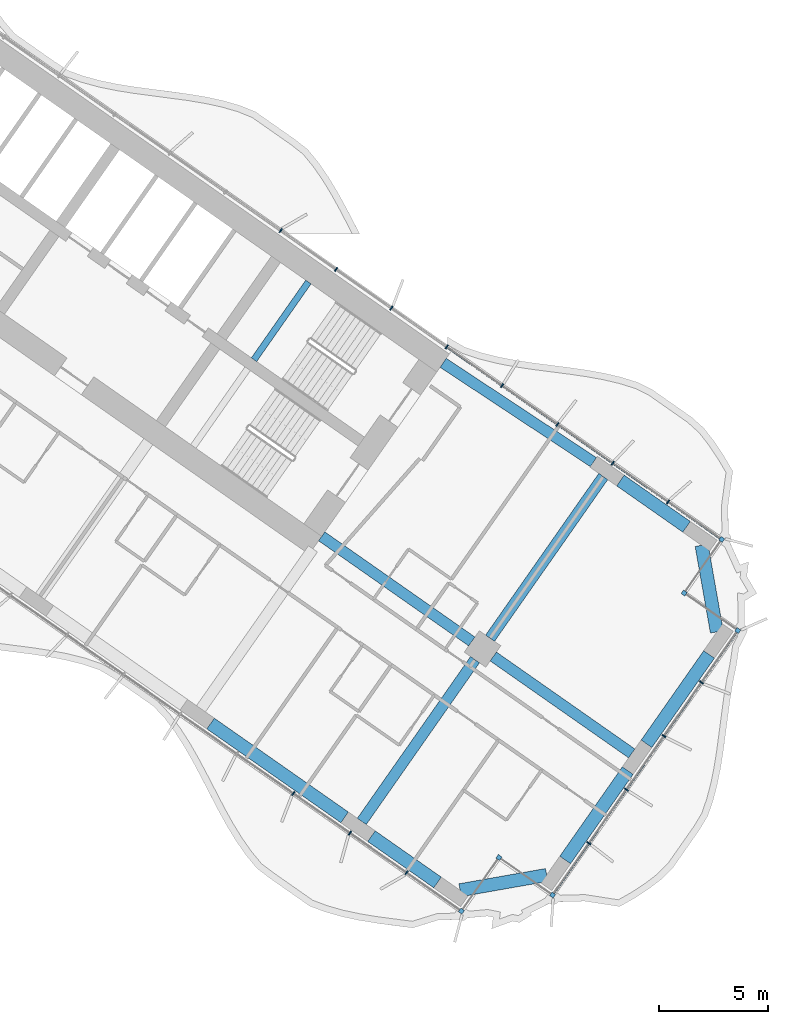
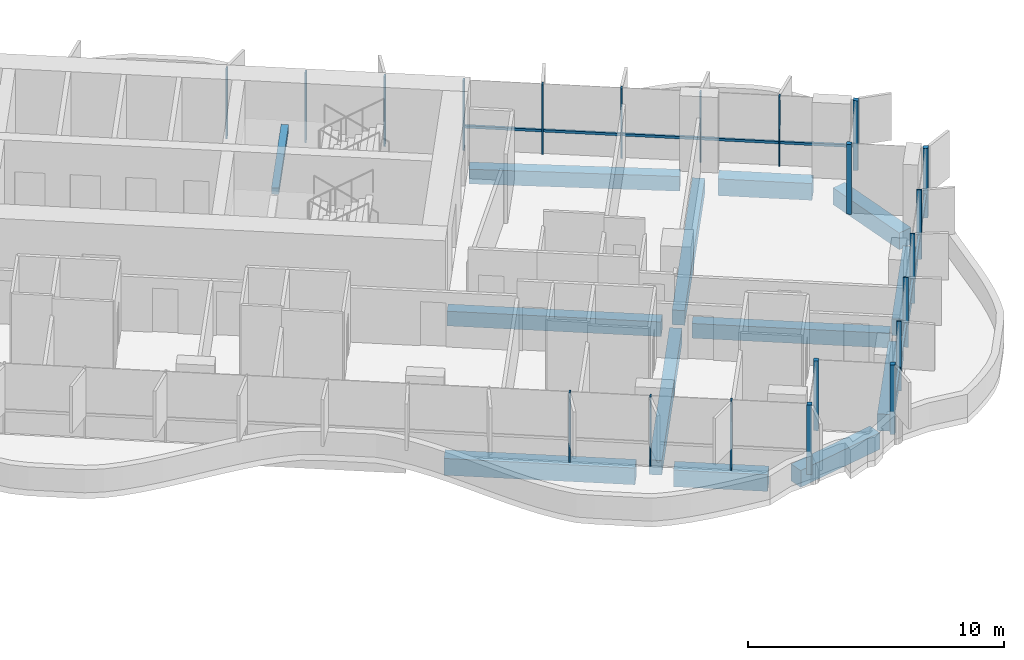
# One storey, part 9 of 24: 23 members, 13 beams, 2 elements without a shape of their own.
"""IFC4 building model written with IfcOpenShell, lengths in metres."""

from ifc_helpers import new_model, si_unit, direction, frame, origin, origin_2d, place, context, subcontext, project, spatial, rectangle, extrude, material, material_profile, profile_set, type_object, element, aggregate, save


model = new_model("IFC4")

# Units and contexts
model_context = context("Model", 3, precision=1e-05, world=origin(), true_north=direction((0.0, 1.0)))
body_context = subcontext(model_context, "Body", "Model", "MODEL_VIEW")
ifc_project = project(units=[si_unit("LENGTHUNIT", "METRE"), si_unit("AREAUNIT", "SQUARE_METRE"), si_unit("VOLUMEUNIT", "CUBIC_METRE"), si_unit("PLANEANGLEUNIT", "RADIAN"), si_unit("MASSUNIT", "GRAM", prefix="KILO")], contexts=[model_context])

# Site, building, storey
site_placement = place(None, origin())
site = spatial("IfcSite", under=ifc_project, at=site_placement, CompositionType="ELEMENT")
building_placement = place(site_placement, origin())
building = spatial("IfcBuilding", under=site, at=building_placement, Name="Tel Ilan Convention Tower", CompositionType="ELEMENT")
storey_placement = place(building_placement, frame((0.0, 0.0, 90.5)))
storey = spatial("IfcBuildingStorey", under=building, at=storey_placement, Name="L18", CompositionType="ELEMENT", Elevation=90.5)

# Beams
ifc_material_1 = material(Name="Concrete C40/50", Category="concrete")
ifc_material_profile_1 = material_profile(ifc_material_1, rectangle(XDim=0.5, YDim=0.699951171875, at=origin_2d()), Name="RC 500x700")
ifc_profile_set_1 = profile_set([ifc_material_profile_1], Name="Concrete C40/50")
beam_type_1 = type_object("IfcBeamType", Name="Beam RC 500x700 Concrete C40/50", PredefinedType="BEAM", material=ifc_profile_set_1)
beam_1_placement = place(storey_placement, frame((34.570556640625, -12.08447265625, -0.6298828125), z_axis=(-0.834273603487, 0.551350663847, 0.0), x_axis=(-0.551350663847, -0.834273603487, 0.0)))
element("IfcBeam", 1, at=beam_1_placement, inside=storey, type_object=beam_type_1, Name="L18 beam E-E-B4-core", PredefinedType="BEAM", context=body_context, shape_type="SweptSolid", body=[
    extrude(rectangle(XDim=0.5, YDim=0.699951171875, at=origin_2d()), origin(), (0.0, 0.0, 1.0), 8.2529296875),
])
beam_2_placement = place(storey_placement, frame((22.1171875, -15.486572265625, -0.6298828125), z_axis=(0.819147254605, -0.573583276668, 0.0), x_axis=(0.573583276668, 0.819147254605, 0.0)))
element("IfcBeam", 2, at=beam_2_placement, inside=storey, type_object=beam_type_1, Name="L18 beam E-core-E-M4", PredefinedType="BEAM", context=body_context, shape_type="SweptSolid", body=[
    extrude(rectangle(XDim=0.5, YDim=0.699951171875, at=origin_2d()), origin(), (0.0, 0.0, 1.0), 8.400146484375),
])
beam_3_placement = place(storey_placement, frame((29.98095703125, -20.992919921875, -0.6298828125), z_axis=(0.819159394801, -0.573565938589, 0.0), x_axis=(0.573565938589, 0.819159394801, 0.0)))
element("IfcBeam", 3, at=beam_3_placement, inside=storey, type_object=beam_type_1, Name="L18 beam E-E-M4-end", PredefinedType="BEAM", context=body_context, shape_type="SweptSolid", body=[
    extrude(rectangle(XDim=0.5, YDim=0.699951171875, at=origin_2d()), origin(), (0.0, 0.0, 1.0), 7.75),
])
for number, where, z_axis, x_axis, name in (
    (4, (29.145263671875, -21.14013671875, -0.6298828125), (-0.573549245583, -0.819171082798, 0.0), (0.819171082798, -0.573549245583, 0.0), "L18 beam E-E-M4-E-F4"),
    (5, (29.83349609375, -20.1572265625, -0.6298828125), (0.57358002233, 0.819149533348, 0.0), (-0.819149533348, 0.57358002233, 0.0), "L18 beam E-E-M4-E-B4"),
):
    element("IfcBeam", number, at=place(storey_placement, frame(where, z_axis=z_axis, x_axis=x_axis)), inside=storey, type_object=beam_type_1, Name=name, PredefinedType="BEAM", context=body_context, shape_type="SweptSolid", body=[
        extrude(rectangle(XDim=0.5, YDim=0.699951171875, at=origin_2d()), origin(), (0.0, 0.0, 1.0), 9.050048828125),
    ])
ifc_material_2 = material(Name="Concrete C40/50", Category="concrete")
ifc_material_profile_2 = material_profile(ifc_material_2, rectangle(XDim=0.60009765625, YDim=0.800048828125, at=origin_2d()), Name="RC 600x800")
ifc_profile_set_2 = profile_set([ifc_material_profile_2], Name="Concrete C40/50")
beam_type_2 = type_object("IfcBeamType", Name="Beam RC 600x800 Concrete C40/50", PredefinedType="BEAM", material=ifc_profile_set_2)
beam_4_placement = place(storey_placement, frame((17.0244140625, -24.0673828125, -0.679931640625), z_axis=(0.81915238829, -0.573575945067, 0.0), x_axis=(0.573575945067, 0.81915238829, 0.0)))
element("IfcBeam", 6, at=beam_4_placement, inside=storey, type_object=beam_type_2, Name="L18 beam E-E-F3-E-F4", PredefinedType="BEAM", context=body_context, shape_type="SweptSolid", body=[
    extrude(rectangle(XDim=0.60009765625, YDim=0.800048828125, at=origin_2d()), origin(), (0.0, 0.0, 1.0), 7.5),
])
beam_5_placement = place(storey_placement, frame((24.396728515625, -29.2294921875, -0.679931640625), z_axis=(0.819132709951, -0.573604047656, 0.0), x_axis=(0.573604047656, 0.819132709951, 0.0)))
element("IfcBeam", 7, at=beam_5_placement, inside=storey, type_object=beam_type_2, Name="L18 beam E-E-F4-E-FC", PredefinedType="BEAM", context=body_context, shape_type="SweptSolid", body=[
    extrude(rectangle(XDim=0.60009765625, YDim=0.800048828125, at=origin_2d()), origin(), (0.0, 0.0, 1.0), 3.699951171875),
])
beam_6_placement = place(storey_placement, frame((28.459716796875, -31.708251953125, -0.679931640625), z_axis=(0.984806721117, 0.173654029734, 0.0), x_axis=(-0.173654029734, 0.984806721117, 0.0)))
element("IfcBeam", 8, at=beam_6_placement, inside=storey, type_object=beam_type_2, Name="L18 beam E-E-FC-E-E1", PredefinedType="BEAM", context=body_context, shape_type="SweptSolid", body=[
    extrude(rectangle(XDim=0.60009765625, YDim=0.800048828125, at=origin_2d()), origin(), (0.0, 0.0, 1.0), 4.03076171875),
])
for number, where, z_axis, x_axis, name in (
    (9, (33.277099609375, -30.3203125, -0.679931640625), (0.573586866468, 0.819144740944, 0.0), (-0.819144740944, 0.573586866468, 0.0), "L18 beam E-E-E1-E-E2"),
    (10, (37.00537109375, -24.995849609375, -0.679931640625), (0.573586866468, 0.819144740944, 0.0), (-0.819144740944, 0.573586866468, 0.0), "L18 beam E-E-E2-E-E3"),
):
    element("IfcBeam", number, at=place(storey_placement, frame(where, z_axis=z_axis, x_axis=x_axis)), inside=storey, type_object=beam_type_2, Name=name, PredefinedType="BEAM", context=body_context, shape_type="SweptSolid", body=[
        extrude(rectangle(XDim=0.60009765625, YDim=0.800048828125, at=origin_2d()), origin(), (0.0, 0.0, 1.0), 5.0),
    ])
beam_7_placement = place(storey_placement, frame((40.229736328125, -19.867919921875, -0.679931640625), z_axis=(-0.173664388751, 0.984804894423, 0.0), x_axis=(-0.984804894423, -0.173664388751, 0.0)))
element("IfcBeam", 11, at=beam_7_placement, inside=storey, type_object=beam_type_2, Name="L18 beam E-E-E3-E-BC", PredefinedType="BEAM", context=body_context, shape_type="SweptSolid", body=[
    extrude(rectangle(XDim=0.60009765625, YDim=0.800048828125, at=origin_2d()), origin(), (0.0, 0.0, 1.0), 4.030517578125),
])
beam_8_placement = place(storey_placement, frame((38.841796875, -15.050537109375, -0.679931640625), z_axis=(-0.819185419371, 0.573528768842, 0.0), x_axis=(-0.573528768842, -0.819185419371, 0.0)))
element("IfcBeam", 12, at=beam_8_placement, inside=storey, type_object=beam_type_2, Name="L18 beam E-E-BC-E-B4", PredefinedType="BEAM", context=body_context, shape_type="SweptSolid", body=[
    extrude(rectangle(XDim=0.60009765625, YDim=0.800048828125, at=origin_2d()), origin(), (0.0, 0.0, 1.0), 3.699951171875),
])

# Curtain wall, members
ifc_material_3 = material(Name="Aluminium, bronze anodised", Category="aluminium")
curtain_wall_type_1 = type_object("IfcCurtainWallType", Name="CW1 UNITISED CURTAIN WALL, HOTEL TINTED GLASS", PredefinedType="NOTDEFINED", material=ifc_material_3)
curtain_wall_1_placement = place(storey_placement, origin())
curtain_wall_1 = element("IfcCurtainWall", 13, at=curtain_wall_1_placement, inside=storey, type_object=curtain_wall_type_1, Name="Curtain wall CW1-16.02", PredefinedType="NOTDEFINED")
ifc_material_4 = material(Name="Aluminium, bronze anodised", Category="aluminium")
ifc_material_profile_3 = material_profile(ifc_material_4, rectangle(XDim=0.199951171875, YDim=0.199951171875, at=origin_2d()), Name="CW CORNER MULLION 200x200")
ifc_profile_set_3 = profile_set([ifc_material_profile_3], Name="Aluminium, bronze anodised")
member_type_1 = type_object("IfcMemberType", Name="CW CORNER MULLION 200x200", PredefinedType="MULLION", material=ifc_profile_set_3)
member_1_placement = place(storey_placement, frame((28.52099609375, -32.666748046875, 0.0), z_axis=(0.0, 0.0, 1.0), x_axis=(0.819152044289, -0.573576436351, 0.0)))
member_1 = element("IfcMember", 14, at=member_1_placement, type_object=member_type_1, Name="Corner mullion", PredefinedType="MULLION", context=body_context, shape_type="SweptSolid", body=[
    extrude(rectangle(XDim=0.199951171875, YDim=0.199951171875, at=origin_2d()), origin(), (0.0, 0.0, 1.0), 3.320068359375),
])
member_2_placement = place(storey_placement, frame((30.241943359375, -30.209228515625, 0.0), z_axis=(0.0, 0.0, 1.0), x_axis=(0.573576436351, 0.819152044289, 0.0)))
member_2 = element("IfcMember", 15, at=member_2_placement, type_object=member_type_1, Name="Corner mullion", PredefinedType="MULLION", context=body_context, shape_type="SweptSolid", body=[
    extrude(rectangle(XDim=0.199951171875, YDim=0.199951171875, at=origin_2d()), origin(), (0.0, 0.0, 1.0), 3.320068359375),
])
member_3_placement = place(storey_placement, frame((32.69921875, -31.929931640625, 0.0), z_axis=(0.0, 0.0, 1.0), x_axis=(0.819152044289, -0.573576436351, 0.0)))
member_3 = element("IfcMember", 16, at=member_3_placement, type_object=member_type_1, Name="Corner mullion", PredefinedType="MULLION", context=body_context, shape_type="SweptSolid", body=[
    extrude(rectangle(XDim=0.199951171875, YDim=0.199951171875, at=origin_2d()), origin(), (0.0, 0.0, 1.0), 3.320068359375),
])
member_4_placement = place(storey_placement, frame((41.188232421875, -19.806640625, 0.0), z_axis=(0.0, 0.0, 1.0), x_axis=(0.573576436351, 0.819152044289, 0.0)))
member_4 = element("IfcMember", 17, at=member_4_placement, type_object=member_type_1, Name="Corner mullion", PredefinedType="MULLION", context=body_context, shape_type="SweptSolid", body=[
    extrude(rectangle(XDim=0.199951171875, YDim=0.199951171875, at=origin_2d()), origin(), (0.0, 0.0, 1.0), 3.320068359375),
])
member_5_placement = place(storey_placement, frame((38.730712890625, -18.0859375, 0.0), z_axis=(0.0, 0.0, 1.0), x_axis=(-0.819152044289, 0.573576436351, 0.0)))
member_5 = element("IfcMember", 18, at=member_5_placement, type_object=member_type_1, Name="Corner mullion", PredefinedType="MULLION", context=body_context, shape_type="SweptSolid", body=[
    extrude(rectangle(XDim=0.199951171875, YDim=0.199951171875, at=origin_2d()), origin(), (0.0, 0.0, 1.0), 3.320068359375),
])
member_6_placement = place(storey_placement, frame((40.451416015625, -15.62841796875, 0.0), z_axis=(0.0, 0.0, 1.0), x_axis=(0.573576436351, 0.819152044289, 0.0)))
member_6 = element("IfcMember", 19, at=member_6_placement, type_object=member_type_1, Name="Corner mullion", PredefinedType="MULLION", context=body_context, shape_type="SweptSolid", body=[
    extrude(rectangle(XDim=0.199951171875, YDim=0.199951171875, at=origin_2d()), origin(), (0.0, 0.0, 1.0), 3.320068359375),
])

ifc_material_5 = material(Name="Aluminium, bronze anodised", Category="aluminium")
curtain_wall_type_2 = type_object("IfcCurtainWallType", Name="CW2 STICK CURTAIN WALL, SPANDREL PANELS", PredefinedType="NOTDEFINED", material=ifc_material_5)
curtain_wall_2_placement = place(storey_placement, origin())
curtain_wall_2 = element("IfcCurtainWall", 20, at=curtain_wall_2_placement, inside=storey, type_object=curtain_wall_type_2, Name="Curtain wall CW2-16.01", PredefinedType="NOTDEFINED")
ifc_material_6 = material(Name="Aluminium, bronze anodised", Category="aluminium")
ifc_material_profile_4 = material_profile(ifc_material_6, rectangle(XDim=0.06005859375, YDim=0.199951171875, at=origin_2d()), Name="CW MULLION 60x200")
ifc_profile_set_4 = profile_set([ifc_material_profile_4], Name="Aluminium, bronze anodised")
member_type_2 = type_object("IfcMemberType", Name="CW MULLION 60x200", PredefinedType="MULLION", material=ifc_profile_set_4)
member_7_placement = place(storey_placement, frame((27.848876953125, -6.803955078125, 0.0), z_axis=(0.0, 0.0, 1.0), x_axis=(-0.819152044289, 0.573576436351, 0.0)))
member_7 = element("IfcMember", 21, at=member_7_placement, type_object=member_type_2, Name="Mullion", PredefinedType="MULLION", context=body_context, shape_type="SweptSolid", body=[
    extrude(rectangle(XDim=0.06005859375, YDim=0.199951171875, at=origin_2d()), origin(), (0.0, 0.0, 1.0), 3.320068359375),
])
member_8_placement = place(storey_placement, frame((25.311767578125, -5.027587890625, 0.0), z_axis=(0.0, 0.0, 1.0), x_axis=(-0.819152044289, 0.573576436351, 0.0)))
member_8 = element("IfcMember", 22, at=member_8_placement, type_object=member_type_2, Name="Mullion", PredefinedType="MULLION", context=body_context, shape_type="SweptSolid", body=[
    extrude(rectangle(XDim=0.06005859375, YDim=0.199951171875, at=origin_2d()), origin(), (0.0, 0.0, 1.0), 3.320068359375),
])
member_9_placement = place(storey_placement, frame((22.77490234375, -3.251220703125, 0.0), z_axis=(0.0, 0.0, 1.0), x_axis=(-0.819152044289, 0.573576436351, 0.0)))
member_9 = element("IfcMember", 23, at=member_9_placement, type_object=member_type_2, Name="Mullion", PredefinedType="MULLION", context=body_context, shape_type="SweptSolid", body=[
    extrude(rectangle(XDim=0.06005859375, YDim=0.199951171875, at=origin_2d()), origin(), (0.0, 0.0, 1.0), 3.320068359375),
])
member_10_placement = place(storey_placement, frame((20.238037109375, -1.474853515625, 0.0), z_axis=(0.0, 0.0, 1.0), x_axis=(-0.819152044289, 0.573576436351, 0.0)))
member_10 = element("IfcMember", 24, at=member_10_placement, type_object=member_type_2, Name="Mullion", PredefinedType="MULLION", context=body_context, shape_type="SweptSolid", body=[
    extrude(rectangle(XDim=0.06005859375, YDim=0.199951171875, at=origin_2d()), origin(), (0.0, 0.0, 1.0), 3.320068359375),
])
aggregate(curtain_wall_2, [member_7, member_8, member_9, member_10])

# Member
member_11_placement = place(storey_placement, frame((20.81787109375, -27.27294921875, 0.0), z_axis=(0.0, 0.0, 1.0), x_axis=(0.819152044289, -0.573576436351, 0.0)))
member_11 = element("IfcMember", 25, at=member_11_placement, type_object=member_type_2, Name="Mullion", PredefinedType="MULLION", context=body_context, shape_type="SweptSolid", body=[
    extrude(rectangle(XDim=0.06005859375, YDim=0.199951171875, at=origin_2d()), origin(), (0.0, 0.0, 1.0), 3.320068359375),
])

member_12_placement = place(storey_placement, frame((23.412841796875, -29.08984375, 0.0), z_axis=(0.0, 0.0, 1.0), x_axis=(0.819152044289, -0.573576436351, 0.0)))
member_12 = element("IfcMember", 26, at=member_12_placement, type_object=member_type_2, Name="Mullion", PredefinedType="MULLION", context=body_context, shape_type="SweptSolid", body=[
    extrude(rectangle(XDim=0.06005859375, YDim=0.199951171875, at=origin_2d()), origin(), (0.0, 0.0, 1.0), 3.320068359375),
])

member_13_placement = place(storey_placement, frame((26.008056640625, -30.906982421875, 0.0), z_axis=(0.0, 0.0, 1.0), x_axis=(0.819152044289, -0.573576436351, 0.0)))
member_13 = element("IfcMember", 27, at=member_13_placement, type_object=member_type_2, Name="Mullion", PredefinedType="MULLION", context=body_context, shape_type="SweptSolid", body=[
    extrude(rectangle(XDim=0.06005859375, YDim=0.199951171875, at=origin_2d()), origin(), (0.0, 0.0, 1.0), 3.320068359375),
])

member_14_placement = place(storey_placement, frame((34.362548828125, -29.554443359375, 0.0), z_axis=(0.0, 0.0, 1.0), x_axis=(0.573576436351, 0.819152044289, 0.0)))
member_14 = element("IfcMember", 28, at=member_14_placement, type_object=member_type_2, Name="Mullion", PredefinedType="MULLION", context=body_context, shape_type="SweptSolid", body=[
    extrude(rectangle(XDim=0.06005859375, YDim=0.199951171875, at=origin_2d()), origin(), (0.0, 0.0, 1.0), 3.320068359375),
])

member_15_placement = place(storey_placement, frame((36.08349609375, -27.096923828125, 0.0), z_axis=(0.0, 0.0, 1.0), x_axis=(0.573576436351, 0.819152044289, 0.0)))
member_15 = element("IfcMember", 29, at=member_15_placement, type_object=member_type_2, Name="Mullion", PredefinedType="MULLION", context=body_context, shape_type="SweptSolid", body=[
    extrude(rectangle(XDim=0.06005859375, YDim=0.199951171875, at=origin_2d()), origin(), (0.0, 0.0, 1.0), 3.320068359375),
])

member_16_placement = place(storey_placement, frame((37.80419921875, -24.6396484375, 0.0), z_axis=(0.0, 0.0, 1.0), x_axis=(0.573576436351, 0.819152044289, 0.0)))
member_16 = element("IfcMember", 30, at=member_16_placement, type_object=member_type_2, Name="Mullion", PredefinedType="MULLION", context=body_context, shape_type="SweptSolid", body=[
    extrude(rectangle(XDim=0.06005859375, YDim=0.199951171875, at=origin_2d()), origin(), (0.0, 0.0, 1.0), 3.320068359375),
])

member_17_placement = place(storey_placement, frame((39.52490234375, -22.18212890625, 0.0), z_axis=(0.0, 0.0, 1.0), x_axis=(0.573576436351, 0.819152044289, 0.0)))
member_17 = element("IfcMember", 31, at=member_17_placement, type_object=member_type_2, Name="Mullion", PredefinedType="MULLION", context=body_context, shape_type="SweptSolid", body=[
    extrude(rectangle(XDim=0.06005859375, YDim=0.199951171875, at=origin_2d()), origin(), (0.0, 0.0, 1.0), 3.320068359375),
])

member_18_placement = place(storey_placement, frame((37.99658203125, -13.909423828125, 0.0), z_axis=(0.0, 0.0, 1.0), x_axis=(-0.819152044289, 0.573576436351, 0.0)))
member_18 = element("IfcMember", 32, at=member_18_placement, type_object=member_type_2, Name="Mullion", PredefinedType="MULLION", context=body_context, shape_type="SweptSolid", body=[
    extrude(rectangle(XDim=0.06005859375, YDim=0.199951171875, at=origin_2d()), origin(), (0.0, 0.0, 1.0), 3.320068359375),
])

member_19_placement = place(storey_placement, frame((35.45947265625, -12.133056640625, 0.0), z_axis=(0.0, 0.0, 1.0), x_axis=(-0.819152044289, 0.573576436351, 0.0)))
member_19 = element("IfcMember", 33, at=member_19_placement, type_object=member_type_2, Name="Mullion", PredefinedType="MULLION", context=body_context, shape_type="SweptSolid", body=[
    extrude(rectangle(XDim=0.06005859375, YDim=0.199951171875, at=origin_2d()), origin(), (0.0, 0.0, 1.0), 3.320068359375),
])

member_20_placement = place(storey_placement, frame((32.922607421875, -10.356689453125, 0.0), z_axis=(0.0, 0.0, 1.0), x_axis=(-0.819152044289, 0.573576436351, 0.0)))
member_20 = element("IfcMember", 34, at=member_20_placement, type_object=member_type_2, Name="Mullion", PredefinedType="MULLION", context=body_context, shape_type="SweptSolid", body=[
    extrude(rectangle(XDim=0.06005859375, YDim=0.199951171875, at=origin_2d()), origin(), (0.0, 0.0, 1.0), 3.320068359375),
])

member_21_placement = place(storey_placement, frame((30.3857421875, -8.580322265625, 0.0), z_axis=(0.0, 0.0, 1.0), x_axis=(-0.819152044289, 0.573576436351, 0.0)))
member_21 = element("IfcMember", 35, at=member_21_placement, type_object=member_type_2, Name="Mullion", PredefinedType="MULLION", context=body_context, shape_type="SweptSolid", body=[
    extrude(rectangle(XDim=0.06005859375, YDim=0.199951171875, at=origin_2d()), origin(), (0.0, 0.0, 1.0), 3.320068359375),
])

ifc_material_7 = material(Name="Aluminium, bronze anodised", Category="aluminium")
ifc_material_profile_5 = material_profile(ifc_material_7, rectangle(XDim=0.10009765625, YDim=0.1201171875, at=origin_2d()), Name="CW TRANSOM 100x120")
ifc_profile_set_5 = profile_set([ifc_material_profile_5], Name="Aluminium, bronze anodised")
member_type_3 = type_object("IfcMemberType", Name="CW TRANSOM 100x120", PredefinedType="USERDEFINED", material=ifc_profile_set_5)
member_22_placement = place(storey_placement, frame((32.756591796875, -31.84814453125, 1.10009765625), z_axis=(0.573575688231, 0.819152568128, 0.0), x_axis=(-0.819152568128, 0.573575688231, 0.0)))
member_22 = element("IfcMember", 36, at=member_22_placement, type_object=member_type_3, Name="Transom", ObjectType="TRANSOM", PredefinedType="USERDEFINED", context=body_context, shape_type="SweptSolid", body=[
    extrude(rectangle(XDim=0.10009765625, YDim=0.1201171875, at=origin_2d()), origin(), (0.0, 0.0, 1.0), 14.60009765625),
])

member_23_placement = place(storey_placement, frame((40.36962890625, -15.571044921875, 1.10009765625), z_axis=(-0.819152967985, 0.573575117174, 0.0), x_axis=(-0.573575117174, -0.819152967985, 0.0)))
member_23 = element("IfcMember", 37, at=member_23_placement, type_object=member_type_3, Name="Transom", ObjectType="TRANSOM", PredefinedType="USERDEFINED", context=body_context, shape_type="SweptSolid", body=[
    extrude(rectangle(XDim=0.10009765625, YDim=0.1201171875, at=origin_2d()), origin(), (0.0, 0.0, 1.0), 15.255126953125),
])

aggregate(curtain_wall_1, [member_11, member_12, member_13, member_1, member_2, member_3, member_14, member_15, member_16, member_17, member_4, member_22, member_5, member_6, member_18, member_19, member_20, member_21, member_23])

# Beam
ifc_material_8 = material(Name="Concrete C40/50", Category="concrete")
ifc_material_profile_6 = material_profile(ifc_material_8, rectangle(XDim=0.300048828125, YDim=0.300048828125, at=origin_2d()), Name="RC 300x300")
ifc_profile_set_6 = profile_set([ifc_material_profile_6], Name="Concrete C40/50")
beam_type_3 = type_object("IfcBeamType", Name="Landing Beam RC 300x300 Concrete C40/50", PredefinedType="BEAM", material=ifc_profile_set_6)
beam_9_placement = place(storey_placement, frame((21.5087890625, -3.829345703125, 1.449951171875), z_axis=(-0.57356780395, -0.819158088694, 0.0), x_axis=(0.819158088694, -0.57356780395, 0.0)))
element("IfcBeam", 38, at=beam_9_placement, inside=storey, type_object=beam_type_3, Name="S3 landing beam L18.1", PredefinedType="BEAM", context=body_context, shape_type="SweptSolid", body=[
    extrude(rectangle(XDim=0.300048828125, YDim=0.300048828125, at=origin_2d()), origin(), (0.0, 0.0, 1.0), 4.35009765625),
])

save(model, "model.ifc")
